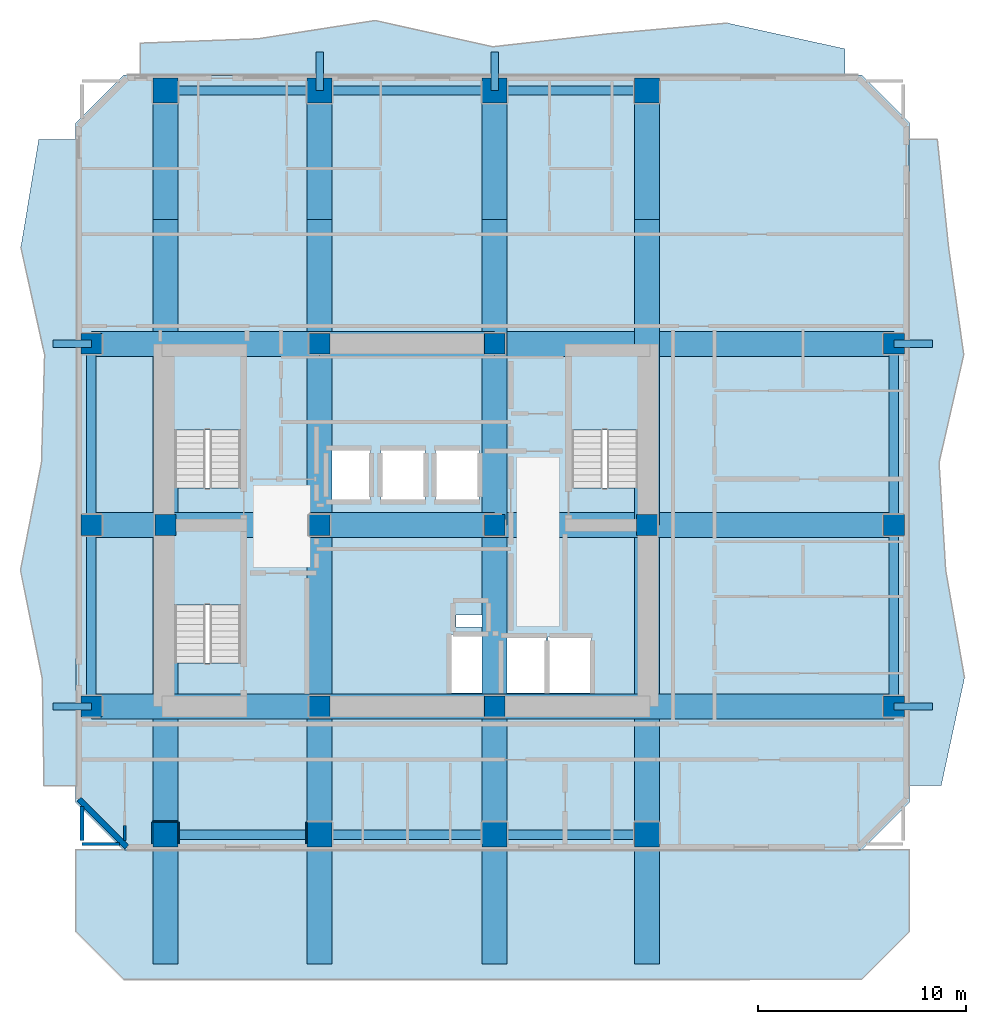
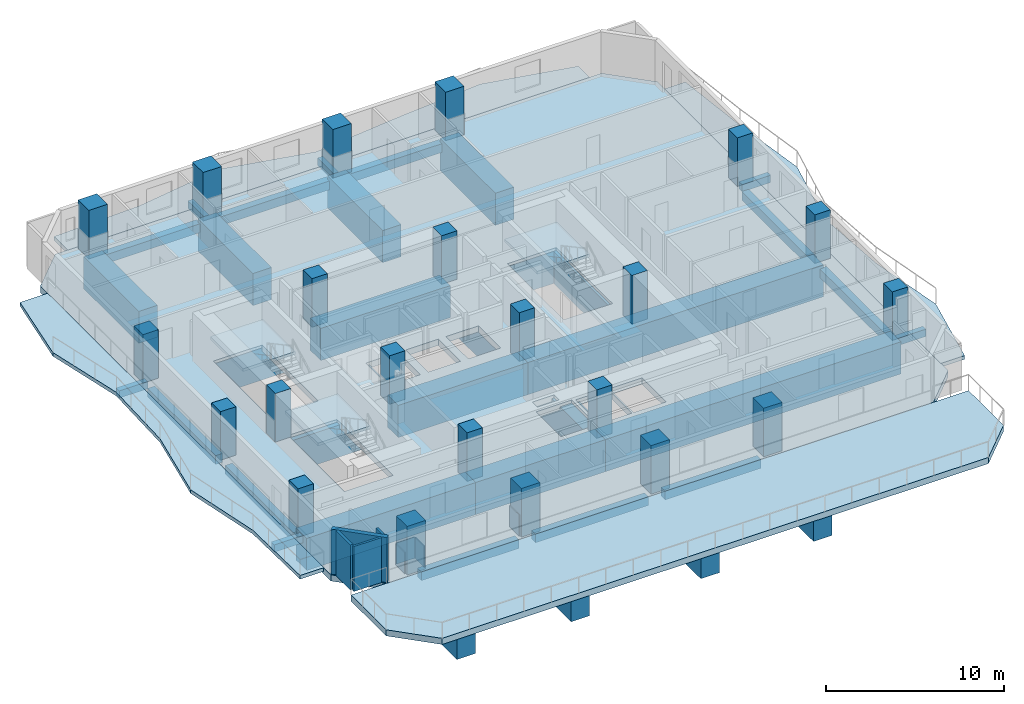
# One storey, part 1 of 9: 37 beams, 22 columns, 8 slabs, 8 walls, 3 elements without a shape of their own.
"""IFC4 building model written with IfcOpenShell, lengths in metres."""

import ifcopenshell
import ifcopenshell.guid

model = None  # the IFC model being written
_history = None  # IfcOwnerHistory: only IFC2X3 demands one
_inside = {}  # id of a spatial element -> (the spatial element, [elements in it])
_under = {}  # id of a project, library or spatial element -> (it, [spatial elements below it])
_declared = {}  # id of a project -> (the project, [libraries it declares])
_typed = {}  # id of a type object -> (the type object, [elements of that type])
_made_of = {}  # id of a material, layer set ... -> (it, [elements and type objects made of it])


def new_model(schema):
    """Start an empty IFC model of exactly this schema.

    Asked for "IFC4X3", IfcOpenShell would pick the latest addendum, in which some entities
    have other attributes; the version numbers below select the first issue.
    IFC2X3 requires an IfcOwnerHistory on every rooted entity: one is made here for all.
    """
    global model, _history
    if schema == "IFC4X3":
        model = ifcopenshell.file(schema_version=(4, 3, 0, 0))
    else:
        model = ifcopenshell.file(schema=schema)
    _inside.clear()
    _under.clear()
    _declared.clear()
    _typed.clear()
    _made_of.clear()
    _history = None
    if model.schema == "IFC2X3":
        org = make("IfcOrganization", Name="unknown")
        user = make(
            "IfcPersonAndOrganization",
            ThePerson=make("IfcPerson", FamilyName="unknown"),
            TheOrganization=org,
        )
        app = make(
            "IfcApplication",
            ApplicationDeveloper=org,
            Version="unknown",
            ApplicationFullName="unknown",
            ApplicationIdentifier="unknown",
        )
        _history = make(
            "IfcOwnerHistory",
            OwningUser=user,
            OwningApplication=app,
            ChangeAction="ADDED",
            CreationDate=0,
        )
    return model


def make(cls, **values):
    """One entity of the class cls with the attributes given. An attribute that is None is left unset."""
    return model.create_entity(
        cls, **{name: value for name, value in values.items() if value is not None}
    )


def rooted(cls, **values):
    """An entity with a GlobalId (a new one), such as an element, a storey or a relation."""
    return make(cls, GlobalId=ifcopenshell.guid.new(), OwnerHistory=_history, **values)


def si_unit(unit_type, name, prefix=None):
    """IfcSIUnit, for example si_unit("LENGTHUNIT", "METRE", prefix="MILLI")."""
    return make("IfcSIUnit", UnitType=unit_type, Prefix=prefix, Name=name)


def assignment(units):
    """IfcUnitAssignment: the units of a project."""
    return None if units is None else make("IfcUnitAssignment", Units=units)


def point(xyz):
    """IfcCartesianPoint."""
    return None if xyz is None else make("IfcCartesianPoint", Coordinates=xyz)


def direction(xyz):
    """IfcDirection."""
    return None if xyz is None else make("IfcDirection", DirectionRatios=xyz)


def frame(location, z_axis=None, x_axis=None):
    """IfcAxis2Placement3D, a coordinate frame: its origin and axes. An axis left out is left unset."""
    return make(
        "IfcAxis2Placement3D",
        Location=point(location),
        Axis=direction(z_axis),
        RefDirection=direction(x_axis),
    )


def frame_2d(location, x_axis=None):
    """IfcAxis2Placement2D, a coordinate frame in the plane: its origin and x axis."""
    return make(
        "IfcAxis2Placement2D", Location=point(location), RefDirection=direction(x_axis)
    )


def origin():
    """The frame at (0, 0, 0) with its axes left unset."""
    return frame((0.0, 0.0, 0.0))


def origin_2d():
    """The frame at (0, 0) in the plane with its x axis left unset."""
    return frame_2d((0.0, 0.0))


def place(relative_to, where):
    """IfcLocalPlacement: puts the frame where relative to a parent placement (None: the world)."""
    return make(
        "IfcLocalPlacement", PlacementRelTo=relative_to, RelativePlacement=where
    )


def context(
    kind, dimensions, precision=None, world=None, true_north=None, identifier=None
):
    """IfcGeometricRepresentationContext, for example the 3D "Model" context."""
    return make(
        "IfcGeometricRepresentationContext",
        ContextIdentifier=identifier,
        ContextType=kind,
        CoordinateSpaceDimension=dimensions,
        Precision=precision,
        WorldCoordinateSystem=world,
        TrueNorth=true_north,
    )


def subcontext(parent, identifier, kind, view, scale=None):
    """IfcGeometricRepresentationSubContext, for example "Body" below "Model"."""
    return make(
        "IfcGeometricRepresentationSubContext",
        ContextIdentifier=identifier,
        ContextType=kind,
        ParentContext=parent,
        TargetScale=scale,
        TargetView=view,
    )


def project(units=None, contexts=None):
    """IfcProject with its units and contexts."""
    return rooted(
        "IfcProject",
        Name="project",
        RepresentationContexts=contexts,
        UnitsInContext=assignment(units),
    )


def spatial(cls, under=None, at=None, **own):
    """A site, building, storey or space (cls), placed at a placement, below another one or the project."""
    s = rooted(cls, ObjectPlacement=at, **own)
    if under is not None:
        _under.setdefault(under.id(), (under, []))[1].append(s)
    return s


def polyline(points):
    """IfcPolyline through the points."""
    return make("IfcPolyline", Points=[point(p) for p in points])


def profile(cls, at=None, kind="AREA", **sizes):
    """A parametric profile (cls). Its sizes go by their IFC names, for example OverallWidth=200.0."""
    return make(cls, ProfileType=kind, Position=at, **sizes)


def rectangle(**sizes):
    """IfcRectangleProfileDef."""
    return profile("IfcRectangleProfileDef", **sizes)


def outline(outer, holes=None, kind="AREA"):
    """IfcArbitraryClosedProfileDef: a profile drawn as a closed curve; with holes, ...WithVoids."""
    if holes is None:
        return make("IfcArbitraryClosedProfileDef", ProfileType=kind, OuterCurve=outer)
    return make(
        "IfcArbitraryProfileDefWithVoids",
        ProfileType=kind,
        OuterCurve=outer,
        InnerCurves=holes,
    )


def extrude(swept, where, along, depth):
    """IfcExtrudedAreaSolid: the profile swept, set in the frame where, extruded along a direction by depth."""
    return make(
        "IfcExtrudedAreaSolid",
        SweptArea=swept,
        Position=where,
        ExtrudedDirection=direction(along),
        Depth=depth,
    )


def shape(context_of_items, identifier, shape_type, items):
    """IfcShapeRepresentation: the items that make up one representation, for example the "Body"."""
    return make(
        "IfcShapeRepresentation",
        ContextOfItems=context_of_items,
        RepresentationIdentifier=identifier,
        RepresentationType=shape_type,
        Items=items,
    )


def material(Name=None, Category=None):
    """IfcMaterial."""
    return make("IfcMaterial", Name=Name, Category=Category)


def layer(
    of_material, thickness, ventilated=None, Name=None, Category=None, Priority=None
):
    """IfcMaterialLayer: one layer of a wall or slab, of a material (None: an air gap)."""
    return make(
        "IfcMaterialLayer",
        Material=of_material,
        LayerThickness=thickness,
        IsVentilated=ventilated,
        Name=Name,
        Category=Category,
        Priority=Priority,
    )


def layer_set(layers, Name=None):
    """IfcMaterialLayerSet."""
    return make("IfcMaterialLayerSet", MaterialLayers=layers, LayerSetName=Name)


def material_profile(
    of_material, cross_section, Name=None, Category=None, Priority=None
):
    """IfcMaterialProfile: a cross section and its material."""
    return make(
        "IfcMaterialProfile",
        Name=Name,
        Material=of_material,
        Profile=cross_section,
        Priority=Priority,
        Category=Category,
    )


def profile_set(profiles, Name=None, composite=None):
    """IfcMaterialProfileSet."""
    return make(
        "IfcMaterialProfileSet",
        Name=Name,
        MaterialProfiles=profiles,
        CompositeProfile=composite,
    )


def made_of(thing, what):
    """Note that an element or type object is made of a material, layer set ...; save() writes the relation."""
    if what is not None:
        _made_of.setdefault(what.id(), (what, []))[1].append(thing)
    return thing


def type_object(cls, material=None, **own):
    """A type object (cls), such as IfcWallType, which elements share."""
    return made_of(rooted(cls, **own), material)


def element(
    cls,
    number,
    at=None,
    inside=None,
    cuts=None,
    type_object=None,
    material=None,
    context=None,
    identifier="Body",
    shape_type=None,
    held_by="IfcProductDefinitionShape",
    body=None,
    shapes=None,
    **own,
):
    """One element of the class cls, such as IfcWall. Its Tag is "e" and its number.

    at: its placement. inside: the storey or other place that contains it. cuts: it is an
    opening in that element (IfcRelVoidsElement). A single representation is given by context,
    identifier, shape_type and body (its items); several are given by shapes. held_by: the class
    of the entity that holds the representations. save() writes the other relations.
    """
    e = rooted(cls, Tag="e%d" % number, ObjectPlacement=at, **own)
    if body is not None:
        shapes = [shape(context, identifier, shape_type, body)]
    if shapes is not None:
        e.Representation = make(held_by, Representations=shapes)
    if inside is not None:
        _inside.setdefault(inside.id(), (inside, []))[1].append(e)
    if cuts is not None:
        rooted(
            "IfcRelVoidsElement", RelatingBuildingElement=cuts, RelatedOpeningElement=e
        )
    if type_object is not None:
        _typed.setdefault(type_object.id(), (type_object, []))[1].append(e)
    return made_of(e, material)


def aggregate(whole, parts):
    """IfcRelAggregates: a whole, such as a stair, and the parts it consists of."""
    return rooted("IfcRelAggregates", RelatingObject=whole, RelatedObjects=parts)


def save(model, path):
    """Write the relations noted so far, then the file.

    IfcRelAggregates (storeys below a building ...), IfcRelContainedInSpatialStructure (elements
    in a storey), IfcRelDefinesByType, IfcRelAssociatesMaterial and IfcRelDeclares: one each for
    every whole, place, type object, material and project.
    """
    for whole, parts in _under.values():
        aggregate(whole, parts)
    for where, things in _inside.values():
        rooted(
            "IfcRelContainedInSpatialStructure",
            RelatedElements=things,
            RelatingStructure=where,
        )
    for kind, things in _typed.values():
        rooted("IfcRelDefinesByType", RelatedObjects=things, RelatingType=kind)
    for what, things in _made_of.values():
        rooted("IfcRelAssociatesMaterial", RelatedObjects=things, RelatingMaterial=what)
    for by, libraries in _declared.values():
        rooted("IfcRelDeclares", RelatingContext=by, RelatedDefinitions=libraries)
    model.write(path)


model = new_model("IFC4")

# Units and contexts
model_context = context("Model", 3, precision=1e-05, world=origin(), true_north=direction((0.0, 1.0)))
body_context = subcontext(model_context, "Body", "Model", "MODEL_VIEW")
ifc_project = project(units=[si_unit("LENGTHUNIT", "METRE"), si_unit("AREAUNIT", "SQUARE_METRE"), si_unit("VOLUMEUNIT", "CUBIC_METRE"), si_unit("PLANEANGLEUNIT", "RADIAN"), si_unit("MASSUNIT", "GRAM", prefix="KILO")], contexts=[model_context])

# Site, building, storey
site_placement = place(None, origin())
site = spatial("IfcSite", under=ifc_project, at=site_placement, CompositionType="ELEMENT")
building_placement = place(site_placement, origin())
building = spatial("IfcBuilding", under=site, at=building_placement, Name="Solanera Arch Residences", CompositionType="ELEMENT")
storey_placement = place(building_placement, frame((0.0, 0.0, 145.919921875)))
storey = spatial("IfcBuildingStorey", under=building, at=storey_placement, Name="L42", CompositionType="ELEMENT", Elevation=145.919921875)

# Columns
ifc_material_1 = material(Name="Concrete C55/67 (f'c = 60 MPa)", Category="concrete")
ifc_material_profile_1 = material_profile(ifc_material_1, rectangle(XDim=1.0, YDim=1.0, at=origin_2d()))
ifc_profile_set_1 = profile_set([ifc_material_profile_1], Name="Concrete C55/67 (f'c = 60 MPa)")
column_type_1 = type_object("IfcColumnType", Name="Structural Column RC-COL-1000X1000", PredefinedType="COLUMN", material=ifc_profile_set_1)
for number, where, z_axis, x_axis, name in (
    (1, (20.800048828125, 22.0, 0.0), (0.0, 0.0, 1.0), (1.0, 0.0, 0.0), "COL-L42-CB-SW"),
    (2, (29.199951171875, 22.0, 0.0), (0.0, 0.0, 1.0), (1.0, 0.0, 0.0), "COL-L42-CB-SE"),
    (3, (20.800048828125, 39.39990234375, 0.0), (0.0, 0.0, 1.0), (1.0, 0.0, 0.0), "COL-L42-CB-NW"),
    (4, (29.199951171875, 39.39990234375, 0.0), (0.0, 0.0, 1.0), (1.0, 0.0, 0.0), "COL-L42-CB-NE"),
    (5, (13.39990234375, 30.699951171875, 0.0), (0.0, 0.0, 1.0), (1.0, 0.0, 0.0), "COL-L42-CB-WW"),
    (6, (36.5, 30.699951171875, 0.0), (0.0, 0.0, 1.0), (1.0, 0.0, 0.0), "COL-L42-CB-EE"),
    (7, (20.800048828125, 30.699951171875, 0.0), (0.0, 0.0, 1.0), (1.0, 0.0, 0.0), "COL-L42-CORE-W"),
    (8, (29.199951171875, 30.699951171875, 0.0), (0.0, 0.0, 1.0), (1.0, 0.0, 0.0), "COL-L42-CORE-E"),
):
    element("IfcColumn", number, at=place(storey_placement, frame(where, z_axis=z_axis, x_axis=x_axis)), inside=storey, type_object=column_type_1, Name=name, PredefinedType="COLUMN", context=body_context, shape_type="SweptSolid", body=[
        extrude(rectangle(XDim=1.0, YDim=1.0, at=origin_2d()), origin(), (0.0, 0.0, 1.0), 3.320068359375),
    ])
for number, where, z_axis, x_axis, name in (
    (9, (9.85009765625, 22.0, -0.199951171875), (0.0, 0.0, 1.0), (1.0, 0.0, 0.0), "COL-L42-TWR-09"),
    (10, (48.35009765625, 22.0, -0.199951171875), (0.0, 0.0, 1.0), (1.0, 0.0, 0.0), "COL-L42-TWR-10"),
    (11, (9.85009765625, 30.699951171875, -0.199951171875), (0.0, 0.0, 1.0), (1.0, 0.0, 0.0), "COL-L42-TWR-11"),
    (12, (48.35009765625, 30.699951171875, -0.199951171875), (0.0, 0.0, 1.0), (1.0, 0.0, 0.0), "COL-L42-TWR-12"),
    (13, (9.85009765625, 39.39990234375, -0.199951171875), (0.0, 0.0, 1.0), (1.0, 0.0, 0.0), "COL-L42-TWR-13"),
    (14, (48.35009765625, 39.39990234375, -0.199951171875), (0.0, 0.0, 1.0), (1.0, 0.0, 0.0), "COL-L42-TWR-14"),
):
    element("IfcColumn", number, at=place(storey_placement, frame(where, z_axis=z_axis, x_axis=x_axis)), inside=storey, type_object=column_type_1, Name=name, PredefinedType="COLUMN", context=body_context, shape_type="SweptSolid", body=[
        extrude(rectangle(XDim=1.0, YDim=1.0, at=origin_2d()), origin(), (0.0, 0.0, 1.0), 3.52001953125),
    ])
ifc_material_2 = material(Name="Concrete C55/67 (f'c = 60 MPa)", Category="concrete")
ifc_material_profile_2 = material_profile(ifc_material_2, rectangle(XDim=1.199951171875, YDim=1.199951171875, at=origin_2d()))
ifc_profile_set_2 = profile_set([ifc_material_profile_2], Name="Concrete C55/67 (f'c = 60 MPa)")
column_type_2 = type_object("IfcColumnType", Name="Structural Column RC-COL-1200X1200", PredefinedType="COLUMN", material=ifc_profile_set_2)
for number, where, z_axis, x_axis, name in (
    (15, (13.39990234375, 15.85009765625, -0.199951171875), (0.0, 0.0, 1.0), (1.0, 0.0, 0.0), "COL-L42-TWR-01"),
    (16, (13.39990234375, 51.550048828125, -0.199951171875), (0.0, 0.0, 1.0), (1.0, 0.0, 0.0), "COL-L42-TWR-02"),
    (17, (20.800048828125, 15.85009765625, -0.199951171875), (0.0, 0.0, 1.0), (1.0, 0.0, 0.0), "COL-L42-TWR-03"),
    (18, (20.800048828125, 51.550048828125, -0.199951171875), (0.0, 0.0, 1.0), (1.0, 0.0, 0.0), "COL-L42-TWR-04"),
    (19, (29.199951171875, 15.85009765625, -0.199951171875), (0.0, 0.0, 1.0), (1.0, 0.0, 0.0), "COL-L42-TWR-05"),
    (20, (29.199951171875, 51.550048828125, -0.199951171875), (0.0, 0.0, 1.0), (1.0, 0.0, 0.0), "COL-L42-TWR-06"),
    (21, (36.5, 15.85009765625, -0.199951171875), (0.0, 0.0, 1.0), (1.0, 0.0, 0.0), "COL-L42-TWR-07"),
    (22, (36.5, 51.550048828125, -0.199951171875), (0.0, 0.0, 1.0), (1.0, 0.0, 0.0), "COL-L42-TWR-08"),
):
    element("IfcColumn", number, at=place(storey_placement, frame(where, z_axis=z_axis, x_axis=x_axis)), inside=storey, type_object=column_type_2, Name=name, PredefinedType="COLUMN", context=body_context, shape_type="SweptSolid", body=[
        extrude(rectangle(XDim=1.199951171875, YDim=1.199951171875, at=origin_2d()), origin(), (0.0, 0.0, 1.0), 3.52001953125),
    ])

# Beams
ifc_material_3 = material(Name="Concrete C40/50 (f'c = 45 MPa)", Category="concrete")
ifc_material_profile_3 = material_profile(ifc_material_3, rectangle(XDim=0.35009765625, YDim=0.5, at=origin_2d()))
ifc_profile_set_3 = profile_set([ifc_material_profile_3], Name="Concrete C40/50 (f'c = 45 MPa)")
beam_type_1 = type_object("IfcBeamType", Name="BM-BALC-RIB", PredefinedType="BEAM", material=ifc_profile_set_3)
for number, where, z_axis, x_axis, name in (
    (23, (20.800048828125, 51.550048828125, -0.5), (0.0, 1.0, 0.0), (-1.0, 0.0, 0.0), "BM-L42-BRIB-N1"),
    (24, (29.199951171875, 51.550048828125, -0.5), (0.0, 1.0, 0.0), (-1.0, 0.0, 0.0), "BM-L42-BRIB-N2"),
    (25, (48.35009765625, 22.0, -0.5), (1.0, 0.0, 0.0), (0.0, 1.0, 0.0), "BM-L42-BRIB-E1"),
    (26, (48.35009765625, 39.39990234375, -0.5), (1.0, 0.0, 0.0), (0.0, 1.0, 0.0), "BM-L42-BRIB-E2"),
):
    element("IfcBeam", number, at=place(storey_placement, frame(where, z_axis=z_axis, x_axis=x_axis)), inside=storey, type_object=beam_type_1, Name=name, PredefinedType="BEAM", context=body_context, shape_type="SweptSolid", body=[
        extrude(rectangle(XDim=0.35009765625, YDim=0.5, at=origin_2d()), origin(), (0.0, 0.0, 1.0), 1.849853515625),
    ])
for number, where, z_axis, x_axis, name in (
    (27, (8.0, 22.0, -0.5), (1.0, 0.0, 0.0), (0.0, 1.0, 0.0), "BM-L42-BRIB-W1"),
    (28, (8.0, 39.39990234375, -0.5), (1.0, 0.0, 0.0), (0.0, 1.0, 0.0), "BM-L42-BRIB-W2"),
):
    element("IfcBeam", number, at=place(storey_placement, frame(where, z_axis=z_axis, x_axis=x_axis)), inside=storey, type_object=beam_type_1, Name=name, PredefinedType="BEAM", context=body_context, shape_type="SweptSolid", body=[
        extrude(rectangle(XDim=0.35009765625, YDim=0.5, at=origin_2d()), origin(), (0.0, 0.0, 1.0), 1.85009765625),
    ])
ifc_material_4 = material(Name="Concrete C55/67 (f'c = 60 MPa)", Category="concrete")
ifc_material_profile_4 = material_profile(ifc_material_4, rectangle(XDim=1.199951171875, YDim=2.199951171875, at=origin_2d()))
ifc_profile_set_4 = profile_set([ifc_material_profile_4], Name="Concrete C55/67 (f'c = 60 MPa)")
beam_type_2 = type_object("IfcBeamType", Name="BM-CANT-BLOCK", PredefinedType="BEAM", material=ifc_profile_set_4)
for number, where, z_axis, x_axis, name in (
    (29, (13.39990234375, 45.35009765625, -1.2998046875), (0.0, 1.0, 0.0), (-1.0, 0.0, 0.0), "BM-L42-CANT-NS-N-134"),
    (30, (20.800048828125, 45.35009765625, -1.2998046875), (0.0, 1.0, 0.0), (-1.0, 0.0, 0.0), "BM-L42-CANT-NS-N-208"),
    (31, (29.199951171875, 45.35009765625, -1.2998046875), (0.0, 1.0, 0.0), (-1.0, 0.0, 0.0), "BM-L42-CANT-NS-N-292"),
    (32, (36.5, 45.35009765625, -1.2998046875), (0.0, 1.0, 0.0), (-1.0, 0.0, 0.0), "BM-L42-CANT-NS-N-365"),
):
    element("IfcBeam", number, at=place(storey_placement, frame(where, z_axis=z_axis, x_axis=x_axis)), inside=storey, type_object=beam_type_2, Name=name, PredefinedType="BEAM", context=body_context, shape_type="SweptSolid", body=[
        extrude(rectangle(XDim=1.199951171875, YDim=2.199951171875, at=origin_2d()), origin(), (0.0, 0.0, 1.0), 6.199951171875),
    ])
ifc_material_5 = material(Name="Concrete C40/50 (f'c = 45 MPa)", Category="concrete")
ifc_material_profile_5 = material_profile(ifc_material_5, rectangle(XDim=0.449951171875, YDim=0.60009765625, at=origin_2d()))
ifc_profile_set_5 = profile_set([ifc_material_profile_5], Name="Concrete C40/50 (f'c = 45 MPa)")
beam_type_3 = type_object("IfcBeamType", Name="Spandrel Beam RC-BM-450X600", PredefinedType="SPANDREL", material=ifc_profile_set_5)
for number, where, z_axis, x_axis, name in (
    (33, (13.93994140625, 15.85009765625, -0.719970703125), (1.0, 0.0, 0.0), (0.0, 1.0, 0.0), "BM-L42-XRING-S-1"),
    (34, (13.93994140625, 51.550048828125, -0.719970703125), (1.0, 0.0, 0.0), (0.0, 1.0, 0.0), "BM-L42-XRING-N-1"),
):
    element("IfcBeam", number, at=place(storey_placement, frame(where, z_axis=z_axis, x_axis=x_axis)), inside=storey, type_object=beam_type_3, Name=name, PredefinedType="SPANDREL", context=body_context, shape_type="SweptSolid", body=[
        extrude(rectangle(XDim=0.449951171875, YDim=0.60009765625, at=origin_2d()), origin(), (0.0, 0.0, 1.0), 6.320068359375),
    ])
for number, where, z_axis, x_axis, name in (
    (35, (21.340087890625, 15.85009765625, -0.719970703125), (1.0, 0.0, 0.0), (0.0, 1.0, 0.0), "BM-L42-XRING-S-2"),
    (36, (21.340087890625, 51.550048828125, -0.719970703125), (1.0, 0.0, 0.0), (0.0, 1.0, 0.0), "BM-L42-XRING-N-2"),
):
    element("IfcBeam", number, at=place(storey_placement, frame(where, z_axis=z_axis, x_axis=x_axis)), inside=storey, type_object=beam_type_3, Name=name, PredefinedType="SPANDREL", context=body_context, shape_type="SweptSolid", body=[
        extrude(rectangle(XDim=0.449951171875, YDim=0.60009765625, at=origin_2d()), origin(), (0.0, 0.0, 1.0), 7.31982421875),
    ])
for number, where, z_axis, x_axis, name in (
    (37, (29.739990234375, 15.85009765625, -0.719970703125), (1.0, 0.0, 0.0), (0.0, 1.0, 0.0), "BM-L42-XRING-S-3"),
    (38, (29.739990234375, 51.550048828125, -0.719970703125), (1.0, 0.0, 0.0), (0.0, 1.0, 0.0), "BM-L42-XRING-N-3"),
):
    element("IfcBeam", number, at=place(storey_placement, frame(where, z_axis=z_axis, x_axis=x_axis)), inside=storey, type_object=beam_type_3, Name=name, PredefinedType="SPANDREL", context=body_context, shape_type="SweptSolid", body=[
        extrude(rectangle(XDim=0.449951171875, YDim=0.60009765625, at=origin_2d()), origin(), (0.0, 0.0, 1.0), 6.219970703125),
    ])
for number, where, z_axis, x_axis, name in (
    (39, (9.85009765625, 22.5400390625, -0.719970703125), (0.0, 1.0, 0.0), (-1.0, 0.0, 0.0), "BM-L42-XRING-W-1"),
    (40, (48.35009765625, 22.5400390625, -0.719970703125), (0.0, 1.0, 0.0), (-1.0, 0.0, 0.0), "BM-L42-XRING-E-1"),
):
    element("IfcBeam", number, at=place(storey_placement, frame(where, z_axis=z_axis, x_axis=x_axis)), inside=storey, type_object=beam_type_3, Name=name, PredefinedType="SPANDREL", context=body_context, shape_type="SweptSolid", body=[
        extrude(rectangle(XDim=0.449951171875, YDim=0.60009765625, at=origin_2d()), origin(), (0.0, 0.0, 1.0), 7.619873046875),
    ])
for number, where, z_axis, x_axis, name in (
    (41, (9.85009765625, 31.239990234375, -0.719970703125), (0.0, 1.0, 0.0), (-1.0, 0.0, 0.0), "BM-L42-XRING-W-2"),
    (42, (48.35009765625, 31.239990234375, -0.719970703125), (0.0, 1.0, 0.0), (-1.0, 0.0, 0.0), "BM-L42-XRING-E-2"),
):
    element("IfcBeam", number, at=place(storey_placement, frame(where, z_axis=z_axis, x_axis=x_axis)), inside=storey, type_object=beam_type_3, Name=name, PredefinedType="SPANDREL", context=body_context, shape_type="SweptSolid", body=[
        extrude(rectangle(XDim=0.449951171875, YDim=0.60009765625, at=origin_2d()), origin(), (0.0, 0.0, 1.0), 7.6201171875),
    ])
ifc_material_6 = material(Name="Concrete C55/67 (f'c = 60 MPa)", Category="concrete")
ifc_material_profile_6 = material_profile(ifc_material_6, rectangle(XDim=1.199951171875, YDim=2.199951171875, at=origin_2d()))
ifc_profile_set_6 = profile_set([ifc_material_profile_6], Name="Concrete C55/67 (f'c = 60 MPa)")
beam_type_4 = type_object("IfcBeamType", Name="Transfer Girder RC-BM-1200X2200", PredefinedType="BEAM", material=ifc_profile_set_6)
beam_1_placement = place(storey_placement, frame((13.39990234375, 9.64990234375, -1.2998046875), z_axis=(0.0, 1.0, 0.0), x_axis=(-1.0, 0.0, 0.0)))
element("IfcBeam", 43, at=beam_1_placement, inside=storey, type_object=beam_type_4, Name="BM-L42-XFER-NS-S-134", PredefinedType="BEAM", context=body_context, shape_type="SweptSolid", body=[
    extrude(rectangle(XDim=1.199951171875, YDim=2.199951171875, at=origin_2d()), origin(), (0.0, 0.0, 1.0), 21.050048828125),
])
beam_2_placement = place(storey_placement, frame((13.39990234375, 30.699951171875, -1.2998046875), z_axis=(0.0, 1.0, 0.0), x_axis=(-1.0, 0.0, 0.0)))
element("IfcBeam", 44, at=beam_2_placement, inside=storey, type_object=beam_type_4, Name="BM-L42-XFER-NS-N-134", PredefinedType="BEAM", context=body_context, shape_type="SweptSolid", body=[
    extrude(rectangle(XDim=1.199951171875, YDim=2.199951171875, at=origin_2d()), origin(), (0.0, 0.0, 1.0), 14.650146484375),
])
beam_3_placement = place(storey_placement, frame((20.800048828125, 9.64990234375, -1.2998046875), z_axis=(0.0, 1.0, 0.0), x_axis=(-1.0, 0.0, 0.0)))
element("IfcBeam", 45, at=beam_3_placement, inside=storey, type_object=beam_type_4, Name="BM-L42-XFER-NS-S-208", PredefinedType="BEAM", context=body_context, shape_type="SweptSolid", body=[
    extrude(rectangle(XDim=1.199951171875, YDim=2.199951171875, at=origin_2d()), origin(), (0.0, 0.0, 1.0), 21.050048828125),
])
beam_4_placement = place(storey_placement, frame((20.800048828125, 30.699951171875, -1.2998046875), z_axis=(0.0, 1.0, 0.0), x_axis=(-1.0, 0.0, 0.0)))
element("IfcBeam", 46, at=beam_4_placement, inside=storey, type_object=beam_type_4, Name="BM-L42-XFER-NS-N-208", PredefinedType="BEAM", context=body_context, shape_type="SweptSolid", body=[
    extrude(rectangle(XDim=1.199951171875, YDim=2.199951171875, at=origin_2d()), origin(), (0.0, 0.0, 1.0), 14.650146484375),
])
beam_5_placement = place(storey_placement, frame((29.199951171875, 9.64990234375, -1.2998046875), z_axis=(0.0, 1.0, 0.0), x_axis=(-1.0, 0.0, 0.0)))
element("IfcBeam", 47, at=beam_5_placement, inside=storey, type_object=beam_type_4, Name="BM-L42-XFER-NS-S-292", PredefinedType="BEAM", context=body_context, shape_type="SweptSolid", body=[
    extrude(rectangle(XDim=1.199951171875, YDim=2.199951171875, at=origin_2d()), origin(), (0.0, 0.0, 1.0), 21.050048828125),
])
beam_6_placement = place(storey_placement, frame((29.199951171875, 30.699951171875, -1.2998046875), z_axis=(0.0, 1.0, 0.0), x_axis=(-1.0, 0.0, 0.0)))
element("IfcBeam", 48, at=beam_6_placement, inside=storey, type_object=beam_type_4, Name="BM-L42-XFER-NS-N-292", PredefinedType="BEAM", context=body_context, shape_type="SweptSolid", body=[
    extrude(rectangle(XDim=1.199951171875, YDim=2.199951171875, at=origin_2d()), origin(), (0.0, 0.0, 1.0), 14.650146484375),
])
beam_7_placement = place(storey_placement, frame((36.5, 9.64990234375, -1.2998046875), z_axis=(0.0, 1.0, 0.0), x_axis=(-1.0, 0.0, 0.0)))
element("IfcBeam", 49, at=beam_7_placement, inside=storey, type_object=beam_type_4, Name="BM-L42-XFER-NS-S-365", PredefinedType="BEAM", context=body_context, shape_type="SweptSolid", body=[
    extrude(rectangle(XDim=1.199951171875, YDim=2.199951171875, at=origin_2d()), origin(), (0.0, 0.0, 1.0), 21.050048828125),
])
beam_8_placement = place(storey_placement, frame((36.5, 30.699951171875, -1.2998046875), z_axis=(0.0, 1.0, 0.0), x_axis=(-1.0, 0.0, 0.0)))
element("IfcBeam", 50, at=beam_8_placement, inside=storey, type_object=beam_type_4, Name="BM-L42-XFER-NS-N-365", PredefinedType="BEAM", context=body_context, shape_type="SweptSolid", body=[
    extrude(rectangle(XDim=1.199951171875, YDim=2.199951171875, at=origin_2d()), origin(), (0.0, 0.0, 1.0), 14.650146484375),
])
beam_9_placement = place(storey_placement, frame((9.85009765625, 22.0, -1.2998046875), z_axis=(1.0, 0.0, 0.0), x_axis=(0.0, 1.0, 0.0)))
element("IfcBeam", 51, at=beam_9_placement, inside=storey, type_object=beam_type_4, Name="BM-L42-XFER-EW-W-220", PredefinedType="BEAM", context=body_context, shape_type="SweptSolid", body=[
    extrude(rectangle(XDim=1.199951171875, YDim=2.199951171875, at=origin_2d()), origin(), (0.0, 0.0, 1.0), 10.949951171875),
])
beam_10_placement = place(storey_placement, frame((20.800048828125, 22.0, -1.2998046875), z_axis=(1.0, 0.0, 0.0), x_axis=(0.0, 1.0, 0.0)))
element("IfcBeam", 52, at=beam_10_placement, inside=storey, type_object=beam_type_4, Name="BM-L42-XFER-EW-C-220", PredefinedType="BEAM", context=body_context, shape_type="SweptSolid", body=[
    extrude(rectangle(XDim=1.199951171875, YDim=2.199951171875, at=origin_2d()), origin(), (0.0, 0.0, 1.0), 8.39990234375),
])
beam_11_placement = place(storey_placement, frame((29.199951171875, 22.0, -1.2998046875), z_axis=(1.0, 0.0, 0.0), x_axis=(0.0, 1.0, 0.0)))
element("IfcBeam", 53, at=beam_11_placement, inside=storey, type_object=beam_type_4, Name="BM-L42-XFER-EW-E-220", PredefinedType="BEAM", context=body_context, shape_type="SweptSolid", body=[
    extrude(rectangle(XDim=1.199951171875, YDim=2.199951171875, at=origin_2d()), origin(), (0.0, 0.0, 1.0), 19.150146484375),
])
beam_12_placement = place(storey_placement, frame((9.85009765625, 30.699951171875, -1.2998046875), z_axis=(1.0, 0.0, 0.0), x_axis=(0.0, 1.0, 0.0)))
element("IfcBeam", 54, at=beam_12_placement, inside=storey, type_object=beam_type_4, Name="BM-L42-XFER-EW-W-307", PredefinedType="BEAM", context=body_context, shape_type="SweptSolid", body=[
    extrude(rectangle(XDim=1.199951171875, YDim=2.199951171875, at=origin_2d()), origin(), (0.0, 0.0, 1.0), 10.949951171875),
])
beam_13_placement = place(storey_placement, frame((20.800048828125, 30.699951171875, -1.2998046875), z_axis=(1.0, 0.0, 0.0), x_axis=(0.0, 1.0, 0.0)))
element("IfcBeam", 55, at=beam_13_placement, inside=storey, type_object=beam_type_4, Name="BM-L42-XFER-EW-C-307", PredefinedType="BEAM", context=body_context, shape_type="SweptSolid", body=[
    extrude(rectangle(XDim=1.199951171875, YDim=2.199951171875, at=origin_2d()), origin(), (0.0, 0.0, 1.0), 8.39990234375),
])
beam_14_placement = place(storey_placement, frame((29.199951171875, 30.699951171875, -1.2998046875), z_axis=(1.0, 0.0, 0.0), x_axis=(0.0, 1.0, 0.0)))
element("IfcBeam", 56, at=beam_14_placement, inside=storey, type_object=beam_type_4, Name="BM-L42-XFER-EW-E-307", PredefinedType="BEAM", context=body_context, shape_type="SweptSolid", body=[
    extrude(rectangle(XDim=1.199951171875, YDim=2.199951171875, at=origin_2d()), origin(), (0.0, 0.0, 1.0), 19.150146484375),
])
beam_15_placement = place(storey_placement, frame((9.85009765625, 39.39990234375, -1.2998046875), z_axis=(1.0, 0.0, 0.0), x_axis=(0.0, 1.0, 0.0)))
element("IfcBeam", 57, at=beam_15_placement, inside=storey, type_object=beam_type_4, Name="BM-L42-XFER-EW-W-394", PredefinedType="BEAM", context=body_context, shape_type="SweptSolid", body=[
    extrude(rectangle(XDim=1.199951171875, YDim=2.199951171875, at=origin_2d()), origin(), (0.0, 0.0, 1.0), 10.949951171875),
])
beam_16_placement = place(storey_placement, frame((20.800048828125, 39.39990234375, -1.2998046875), z_axis=(1.0, 0.0, 0.0), x_axis=(0.0, 1.0, 0.0)))
element("IfcBeam", 58, at=beam_16_placement, inside=storey, type_object=beam_type_4, Name="BM-L42-XFER-EW-C-394", PredefinedType="BEAM", context=body_context, shape_type="SweptSolid", body=[
    extrude(rectangle(XDim=1.199951171875, YDim=2.199951171875, at=origin_2d()), origin(), (0.0, 0.0, 1.0), 8.39990234375),
])
beam_17_placement = place(storey_placement, frame((29.199951171875, 39.39990234375, -1.2998046875), z_axis=(1.0, 0.0, 0.0), x_axis=(0.0, 1.0, 0.0)))
element("IfcBeam", 59, at=beam_17_placement, inside=storey, type_object=beam_type_4, Name="BM-L42-XFER-EW-E-394", PredefinedType="BEAM", context=body_context, shape_type="SweptSolid", body=[
    extrude(rectangle(XDim=1.199951171875, YDim=2.199951171875, at=origin_2d()), origin(), (0.0, 0.0, 1.0), 19.150146484375),
])

# Slabs
ifc_material_7 = material(Name="Concrete C40/50 (f'c = 45 MPa)", Category="concrete")
ifc_layer_1 = layer(ifc_material_7, 0.25)
ifc_layer_set_1 = layer_set([ifc_layer_1], Name="Concrete C40/50 (f'c = 45 MPa)")
slab_type_1 = type_object("IfcSlabType", Name="Balcony Slab 250", PredefinedType="FLOOR", material=ifc_layer_set_1)
slab_1_placement = place(storey_placement, frame((0.0, 0.0, -0.25)))
element("IfcSlab", 60, at=slab_1_placement, inside=storey, type_object=slab_type_1, Name="L42 N Rippling Brise-Soleil Balcony Slab", PredefinedType="FLOOR", context=body_context, shape_type="SweptSolid", body=[
    extrude(outline(polyline([(46.0, 53.550048828125), (40.366943359375, 54.785888671875), (34.73291015625, 54.277099609375), (29.10009765625, 53.64990234375), (23.467041015625, 54.908935546875), (17.8330078125, 54.029052734375), (12.199951171875, 53.822998046875), (12.199951171875, 52.280029296875), (46.0, 52.280029296875), (46.0, 53.550048828125)])), origin(), (0.0, 0.0, 1.0), 0.25),
])
slab_2_placement = place(storey_placement, frame((0.0, 0.0, -0.25)))
element("IfcSlab", 61, at=slab_2_placement, inside=storey, type_object=slab_type_1, Name="L42 E Rippling Brise-Soleil Balcony Slab", PredefinedType="FLOOR", context=body_context, shape_type="SweptSolid", body=[
    extrude(outline(polyline([(50.623046875, 18.199951171875), (51.739990234375, 23.366943359375), (50.837890625, 28.532958984375), (50.51904296875, 33.699951171875), (51.702880859375, 38.866943359375), (50.97509765625, 44.032958984375), (50.43505859375, 49.199951171875), (49.080078125, 49.199951171875), (49.080078125, 18.199951171875), (50.623046875, 18.199951171875)])), origin(), (0.0, 0.0, 1.0), 0.25),
])
slab_3_placement = place(storey_placement, frame((0.0, 0.0, -0.25)))
element("IfcSlab", 62, at=slab_3_placement, inside=storey, type_object=slab_type_1, Name="L42 W Rippling Brise-Soleil Balcony Slab", PredefinedType="FLOOR", context=body_context, shape_type="SweptSolid", body=[
    extrude(outline(polyline([(7.325927734375, 49.199951171875), (6.468017578125, 44.032958984375), (7.60693359375, 38.866943359375), (7.45703125, 33.699951171875), (6.449951171875, 28.532958984375), (7.490966796875, 23.366943359375), (7.576904296875, 18.199951171875), (9.1201171875, 18.199951171875), (9.1201171875, 49.199951171875), (7.325927734375, 49.199951171875)])), origin(), (0.0, 0.0, 1.0), 0.25),
])

# Stair, slab
ifc_material_8 = material(Name="Concrete C40/50 (f'c = 45 MPa)", Category="concrete")
stair_type = type_object("IfcStairType", Name="Tower Dogleg Exit Stair 1480", PredefinedType="HALF_TURN_STAIR", material=ifc_material_8)
stair_1_placement = place(storey_placement, origin())
stair_1 = element("IfcStair", 63, at=stair_1_placement, inside=storey, type_object=stair_type, Name="L42 Tower Core Exit Stair 1", PredefinedType="HALF_TURN_STAIR")
ifc_material_9 = material(Name="Concrete C40/50 (f'c = 45 MPa)", Category="concrete")
ifc_layer_2 = layer(ifc_material_9, 0.199951171875)
ifc_layer_set_2 = layer_set([ifc_layer_2], Name="Concrete C40/50 (f'c = 45 MPa)")
slab_type_2 = type_object("IfcSlabType", Name="Stair Half-Landing Slab 200", PredefinedType="LANDING", material=ifc_layer_set_2)
slab_4_placement = place(storey_placement, frame((0.0, 0.0, 1.4599609375)))
slab_4 = element("IfcSlab", 64, at=slab_4_placement, type_object=slab_type_2, Name="ST-T1 landing 1", PredefinedType="LANDING", context=body_context, shape_type="SweptSolid", body=[
    extrude(outline(polyline([(17.1201171875, 35.260009765625), (17.1201171875, 38.919921875), (13.719970703125, 38.919921875), (13.719970703125, 35.260009765625), (17.1201171875, 35.260009765625)])), origin(), (0.0, 0.0, 1.0), 0.2001953125),
])
aggregate(stair_1, [slab_4])

stair_2_placement = place(storey_placement, origin())
stair_2 = element("IfcStair", 65, at=stair_2_placement, inside=storey, type_object=stair_type, Name="L42 Tower Core Exit Stair 2", PredefinedType="HALF_TURN_STAIR")
slab_5_placement = place(storey_placement, frame((0.0, 0.0, 1.4599609375)))
slab_5 = element("IfcSlab", 66, at=slab_5_placement, type_object=slab_type_2, Name="ST-T2 landing 1", PredefinedType="LANDING", context=body_context, shape_type="SweptSolid", body=[
    extrude(outline(polyline([(36.179931640625, 35.260009765625), (36.179931640625, 38.919921875), (32.780029296875, 38.919921875), (32.780029296875, 35.260009765625), (36.179931640625, 35.260009765625)])), origin(), (0.0, 0.0, 1.0), 0.2001953125),
])
aggregate(stair_2, [slab_5])

stair_3_placement = place(storey_placement, origin())
stair_3 = element("IfcStair", 67, at=stair_3_placement, inside=storey, type_object=stair_type, Name="L42 Tower Core Exit Stair 3", PredefinedType="HALF_TURN_STAIR")
slab_6_placement = place(storey_placement, frame((0.0, 0.0, 1.4599609375)))
slab_6 = element("IfcSlab", 68, at=slab_6_placement, type_object=slab_type_2, Name="ST-T3 landing 1", PredefinedType="LANDING", context=body_context, shape_type="SweptSolid", body=[
    extrude(outline(polyline([(17.1201171875, 26.860107421875), (17.1201171875, 30.52001953125), (13.719970703125, 30.52001953125), (13.719970703125, 26.860107421875), (17.1201171875, 26.860107421875)])), origin(), (0.0, 0.0, 1.0), 0.2001953125),
])
aggregate(stair_3, [slab_6])

# Slabs
ifc_material_10 = material(Name="Concrete C40/50 (f'c = 45 MPa)", Category="concrete")
ifc_layer_3 = layer(ifc_material_10, 0.419921875)
ifc_layer_set_3 = layer_set([ifc_layer_3], Name="Concrete C40/50 (f'c = 45 MPa)")
slab_type_3 = type_object("IfcSlabType", Name="Suspended Floor Slab Post-Tensioned 420", PredefinedType="FLOOR", material=ifc_layer_set_3)
slab_7_placement = place(storey_placement, frame((0.0, 0.0, -0.419921875)))
element("IfcSlab", 69, at=slab_7_placement, inside=storey, type_object=slab_type_3, Name="L42 Tower Post-Tensioned Floor Slab", PredefinedType="FLOOR", context=body_context, shape_type="SweptSolid", body=[
    extrude(outline(polyline([(11.39990234375, 15.10009765625), (46.800048828125, 15.10009765625), (49.10009765625, 17.39990234375), (49.10009765625, 50.0), (46.800048828125, 52.300048828125), (11.39990234375, 52.300048828125), (9.10009765625, 50.0), (9.10009765625, 17.39990234375), (11.39990234375, 15.10009765625)]), holes=[polyline([(13.840087890625, 32.48291015625), (13.840087890625, 38.800048828125), (17.0, 38.800048828125), (17.0, 32.48291015625), (13.840087890625, 32.48291015625)]), polyline([(32.89990234375, 32.48291015625), (32.89990234375, 38.800048828125), (36.06005859375, 38.800048828125), (36.06005859375, 32.48291015625), (32.89990234375, 32.48291015625)]), polyline([(13.840087890625, 24.0830078125), (13.840087890625, 30.39990234375), (17.0, 30.39990234375), (17.0, 24.0830078125), (13.840087890625, 24.0830078125)]), polyline([(21.14990234375, 34.35009765625), (23.25, 34.35009765625), (23.25, 31.85009765625), (21.14990234375, 31.85009765625), (21.14990234375, 34.35009765625)]), polyline([(23.75, 34.35009765625), (25.85009765625, 34.35009765625), (25.85009765625, 31.85009765625), (23.75, 31.85009765625), (23.75, 34.35009765625)]), polyline([(26.35009765625, 34.35009765625), (28.449951171875, 34.35009765625), (28.449951171875, 31.85009765625), (26.35009765625, 31.85009765625), (26.35009765625, 34.35009765625)]), polyline([(29.550048828125, 25.35009765625), (31.64990234375, 25.35009765625), (31.64990234375, 22.64990234375), (29.550048828125, 22.64990234375), (29.550048828125, 25.35009765625)]), polyline([(31.75, 25.35009765625), (33.85009765625, 25.35009765625), (33.85009765625, 22.64990234375), (31.75, 22.64990234375), (31.75, 25.35009765625)]), polyline([(27.050048828125, 25.449951171875), (29.35009765625, 25.449951171875), (29.35009765625, 22.64990234375), (27.050048828125, 22.64990234375), (27.050048828125, 25.449951171875)]), polyline([(27.340087890625, 26.3798828125), (28.760009765625, 26.3798828125), (28.760009765625, 25.820068359375), (27.340087890625, 25.820068359375), (27.340087890625, 26.3798828125)])]), origin(), (0.0, 0.0, 1.0), 0.419921875),
])
ifc_material_11 = material(Name="Concrete C40/50 (f'c = 45 MPa)", Category="concrete")
ifc_layer_4 = layer(ifc_material_11, 0.419921875)
ifc_layer_set_4 = layer_set([ifc_layer_4], Name="Concrete C40/50 (f'c = 45 MPa)")
slab_type_4 = type_object("IfcSlabType", Name="Terrace Slab 420", PredefinedType="FLOOR", material=ifc_layer_set_4)
slab_8_placement = place(storey_placement, frame((0.0, 0.0, -0.419921875)))
element("IfcSlab", 70, at=slab_8_placement, inside=storey, type_object=slab_type_4, Name="L42 Planted Sky Terrace Slab 1", PredefinedType="FLOOR", context=body_context, shape_type="SweptSolid", body=[
    extrude(outline(polyline([(49.10009765625, 15.1201171875), (46.7919921875, 15.1201171875), (11.407958984375, 15.1201171875), (9.10009765625, 15.1201171875), (9.10009765625, 11.199951171875), (11.39990234375, 8.89990234375), (46.800048828125, 8.89990234375), (49.10009765625, 11.199951171875), (49.10009765625, 15.1201171875)])), origin(), (0.0, 0.0, 1.0), 0.419921875),
])

# Walls
ifc_material_12 = material(Name="Fire-Rated Gypsum Stud Partition", Category="gypsum")
ifc_layer_5 = layer(ifc_material_12, 0.06005859375)
ifc_layer_set_5 = layer_set([ifc_layer_5], Name="Fire-Rated Gypsum Stud Partition")
wall_type_1 = type_object("IfcWallType", Name="Column Acoustic Furring Wall 60", PredefinedType="PARTITIONING", material=ifc_layer_set_5)
wall_1_placement = place(storey_placement, frame((12.800048828125, 16.48193359375, 0.0), z_axis=(0.0, 0.0, 1.0), x_axis=(1.0, 0.0, 0.0)))
element("IfcWall", 71, at=wall_1_placement, inside=storey, type_object=wall_type_1, Name="L42 Column Furring 9N", PredefinedType="PARTITIONING", context=body_context, shape_type="SweptSolid", body=[
    extrude(rectangle(XDim=1.199951171875, YDim=0.06005859375, at=frame_2d((0.60009765625, 0.0))), origin(), (0.0, 0.0, 1.0), 1.4501953125),
])
for number, where, z_axis, x_axis, name in (
    (72, (12.76806640625, 15.409912109375, 0.0), (0.0, 0.0, 1.0), (0.0, 1.0, 0.0), "L42 Column Furring 9W"),
    (73, (14.031982421875, 15.409912109375, 0.0), (0.0, 0.0, 1.0), (0.0, 1.0, 0.0), "L42 Column Furring 9E"),
    (74, (20.16796875, 15.409912109375, 0.0), (0.0, 0.0, 1.0), (0.0, 1.0, 0.0), "L42 Column Furring 11W"),
):
    element("IfcWall", number, at=place(storey_placement, frame(where, z_axis=z_axis, x_axis=x_axis)), inside=storey, type_object=wall_type_1, Name=name, PredefinedType="PARTITIONING", context=body_context, shape_type="SweptSolid", body=[
        extrude(rectangle(XDim=1.0400390625, YDim=0.06005859375, at=frame_2d((0.52001953125, 0.0))), origin(), (0.0, 0.0, 1.0), 1.4501953125),
    ])
ifc_material_13 = material(Name="Autoclaved Aerated Concrete Blockwork", Category="masonry")
ifc_layer_6 = layer(ifc_material_13, 0.179931640625)
ifc_layer_set_6 = layer_set([ifc_layer_6], Name="Autoclaved Aerated Concrete Blockwork")
wall_type_2 = type_object("IfcWallType", Name="Corridor Fire Partition 180", PredefinedType="PARTITIONING", material=ifc_layer_set_6)
wall_2_placement = place(storey_placement, frame((9.39990234375, 15.568115234375, 0.0), z_axis=(0.0, 0.0, 1.0), x_axis=(0.0, 1.0, 0.0)))
element("IfcWall", 75, at=wall_2_placement, inside=storey, type_object=wall_type_2, Name="L42 Interior Partition V8 1", PredefinedType="PARTITIONING", context=body_context, shape_type="SweptSolid", body=[
    extrude(rectangle(XDim=1.626953125, YDim=0.179931640625, at=frame_2d((0.8134765625, 0.0))), origin(), (0.0, 0.0, 1.0), 3.080078125),
])
ifc_material_14 = material(Name="Precast Concrete C35/45", Category="concrete")
ifc_layer_7 = layer(ifc_material_14, 0.280029296875)
ifc_layer_set_7 = layer_set([ifc_layer_7], Name="Precast Concrete C35/45")
wall_type_3 = type_object("IfcWallType", Name="Exterior Wall Precast Masonry-Frame 280", PredefinedType="STANDARD", material=ifc_layer_set_7)
wall_3_placement = place(storey_placement, frame((11.554931640625, 15.2548828125, 0.0), z_axis=(0.0, 0.0, 1.0), x_axis=(-0.707106781187, 0.707106781187, 0.0)))
element("IfcWall", 76, at=wall_3_placement, inside=storey, type_object=wall_type_3, Name="L42 Tower Exterior Precast Masonry-Frame Wall CH7", PredefinedType="STANDARD", context=body_context, shape_type="SweptSolid", body=[
    extrude(rectangle(XDim=3.252685546875, YDim=0.280029296875, at=frame_2d((1.62646484375, 0.0))), origin(), (0.0, 0.0, 1.0), 3.080078125),
])
ifc_material_15 = material(Name="Autoclaved Aerated Concrete Blockwork", Category="masonry")
ifc_layer_8 = layer(ifc_material_15, 0.139892578125)
ifc_layer_set_8 = layer_set([ifc_layer_8], Name="Autoclaved Aerated Concrete Blockwork")
wall_type_4 = type_object("IfcWallType", Name="Wet-Room Partition 140", PredefinedType="PARTITIONING", material=ifc_layer_set_8)
wall_4_placement = place(storey_placement, frame((9.39990234375, 15.39990234375, 0.0), z_axis=(0.0, 0.0, 1.0), x_axis=(1.0, 0.0, 0.0)))
element("IfcWall", 77, at=wall_4_placement, inside=storey, type_object=wall_type_4, Name="L42 Interior Partition H14 1", PredefinedType="PARTITIONING", context=body_context, shape_type="SweptSolid", body=[
    extrude(rectangle(XDim=1.795166015625, YDim=0.139892578125, at=frame_2d((0.8974609375, 0.0))), origin(), (0.0, 0.0, 1.0), 3.080078125),
])
wall_5_placement = place(storey_placement, frame((11.449951171875, 15.574951171875, 0.0), z_axis=(0.0, 0.0, 1.0), x_axis=(0.0, 1.0, 0.0)))
element("IfcWall", 78, at=wall_5_placement, inside=storey, type_object=wall_type_4, Name="L42 Interior Partition V14 1", PredefinedType="PARTITIONING", context=body_context, shape_type="SweptSolid", body=[
    extrude(rectangle(XDim=0.703125, YDim=0.139892578125, at=frame_2d((0.3515625, 0.0))), origin(), (0.0, 0.0, 1.0), 3.080078125),
])

save(model, "model.ifc")
